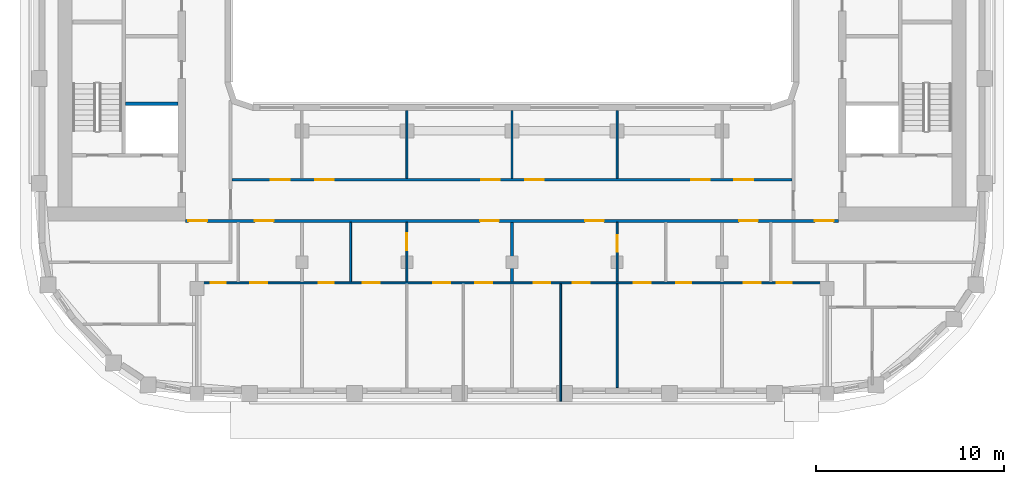
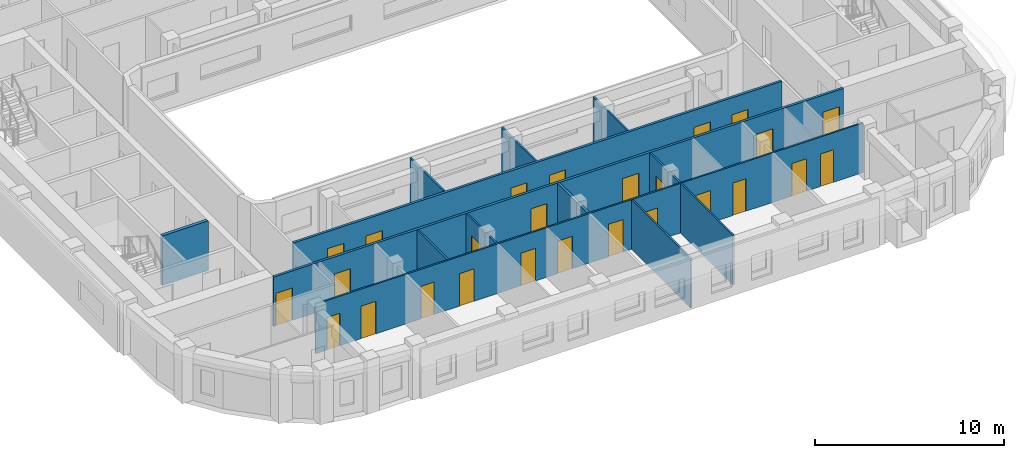
# One storey, part 3 of 21: 26 doors, 13 walls, 26 openings.
"""IFC4 building model written with IfcOpenShell, lengths in metres."""

from ifc_helpers import new_model, si_unit, direction, frame, frame_2d, origin, place, context, subcontext, project, spatial, rectangle, extrude, material, layer, layer_set, type_object, element, fill, save


model = new_model("IFC4")

# Units and contexts
model_context = context("Model", 3, precision=1e-05, world=origin(), true_north=direction((0.0, 1.0)))
body_context = subcontext(model_context, "Body", "Model", "MODEL_VIEW")
ifc_project = project(units=[si_unit("LENGTHUNIT", "METRE"), si_unit("AREAUNIT", "SQUARE_METRE"), si_unit("VOLUMEUNIT", "CUBIC_METRE"), si_unit("PLANEANGLEUNIT", "RADIAN"), si_unit("MASSUNIT", "GRAM", prefix="KILO")], contexts=[model_context])

# Site, building, storey
site_placement = place(None, origin())
site = spatial("IfcSite", under=ifc_project, at=site_placement, CompositionType="ELEMENT")
building_placement = place(site_placement, origin())
building = spatial("IfcBuilding", under=site, at=building_placement, Name="Kiln Ring Residences", CompositionType="ELEMENT")
storey_placement = place(building_placement, frame((0.0, 0.0, 216.89990234375)))
storey = spatial("IfcBuildingStorey", under=building, at=storey_placement, Name="L56", CompositionType="ELEMENT", Elevation=216.89990234375)

# Wall
ifc_material_1 = material(Name="Gypsum shaft wall system")
ifc_layer_1 = layer(ifc_material_1, 0.199951171875)
ifc_layer_set_1 = layer_set([ifc_layer_1], Name="CORE-SHAFT-WALL-200")
wall_type_1 = type_object("IfcWallType", Name="CORE-SHAFT-WALL-200", PredefinedType="PARTITIONING", material=ifc_layer_set_1)
wall_1_placement = place(storey_placement, frame((-17.800048828125, -6.949951171875, 0.0), z_axis=(0.0, 0.0, 1.0), x_axis=(-1.0, 0.0, 0.0)))
element("IfcWall", 1, at=wall_1_placement, inside=storey, type_object=wall_type_1, Name="Core partition west L56 3", PredefinedType="PARTITIONING", context=body_context, shape_type="SweptSolid", body=[
    extrude(rectangle(XDim=2.800048828125, YDim=0.199951171875, at=frame_2d((1.39990234375, 0.0))), origin(), (0.0, 0.0, 1.0), 3.2001953125),
])

# Wall, openings, doors
ifc_material_2 = material(Name="Gypsum board on steel studs", Category="steel")
ifc_layer_2 = layer(ifc_material_2, 0.10009765625)
ifc_layer_set_2 = layer_set([ifc_layer_2], Name="PARTITION-100")
wall_type_2 = type_object("IfcWallType", Name="PARTITION-100", PredefinedType="PARTITIONING", material=ifc_layer_set_2)
wall_2_placement = place(storey_placement, frame((-16.72509765625, -16.5, 0.0), z_axis=(0.0, 0.0, 1.0), x_axis=(1.0, 0.0, 0.0)))
wall_2 = element("IfcWall", 2, at=wall_2_placement, inside=storey, type_object=wall_type_2, Name="Partition 002", PredefinedType="PARTITIONING", context=body_context, shape_type="SweptSolid", body=[
    extrude(rectangle(XDim=33.4501953125, YDim=0.10009765625, at=frame_2d((16.72509765625, 0.0))), origin(), (0.0, 0.0, 1.0), 3.2001953125),
])
opening_1_placement = place(wall_2_placement, frame((0.675048828125, 0.0, 0.0)))
opening_1 = element("IfcOpeningElement", 3, at=opening_1_placement, cuts=wall_2, Name="Opening L56-D044", PredefinedType="OPENING", context=body_context, shape_type="SweptSolid", body=[
    extrude(rectangle(XDim=0.800048828125, YDim=2.10009765625, at=frame_2d((0.39990234375, 1.050048828125))), frame((0.0, 0.06005859375, 0.0), z_axis=(0.0, -1.0, 0.0), x_axis=(1.0, 0.0, 0.0)), (0.0, 0.0, 1.0), 0.1201171875),
])
opening_2_placement = place(wall_2_placement, frame((2.77490234375, 0.0, 0.0)))
opening_2 = element("IfcOpeningElement", 4, at=opening_2_placement, cuts=wall_2, Name="Opening L56-D045", PredefinedType="OPENING", context=body_context, shape_type="SweptSolid", body=[
    extrude(rectangle(XDim=0.89990234375, YDim=2.10009765625, at=frame_2d((0.449951171875, 1.050048828125))), frame((0.0, 0.06005859375, 0.0), z_axis=(0.0, -1.0, 0.0), x_axis=(1.0, 0.0, 0.0)), (0.0, 0.0, 1.0), 0.1201171875),
])
opening_3_placement = place(wall_2_placement, frame((6.425048828125, 0.0, 0.0)))
opening_3 = element("IfcOpeningElement", 5, at=opening_3_placement, cuts=wall_2, Name="Opening L56-D048", PredefinedType="OPENING", context=body_context, shape_type="SweptSolid", body=[
    extrude(rectangle(XDim=0.800048828125, YDim=2.10009765625, at=frame_2d((0.39990234375, 1.050048828125))), frame((0.0, 0.06005859375, 0.0), z_axis=(0.0, -1.0, 0.0), x_axis=(1.0, 0.0, 0.0)), (0.0, 0.0, 1.0), 0.1201171875),
])
opening_4_placement = place(wall_2_placement, frame((8.77490234375, 0.0, 0.0)))
opening_4 = element("IfcOpeningElement", 6, at=opening_4_placement, cuts=wall_2, Name="Opening L56-D049", PredefinedType="OPENING", context=body_context, shape_type="SweptSolid", body=[
    extrude(rectangle(XDim=0.89990234375, YDim=2.10009765625, at=frame_2d((0.449951171875, 1.050048828125))), frame((0.0, 0.06005859375, 0.0), z_axis=(0.0, -1.0, 0.0), x_axis=(1.0, 0.0, 0.0)), (0.0, 0.0, 1.0), 0.1201171875),
])
opening_5_placement = place(wall_2_placement, frame((12.52490234375, 0.0, 0.0)))
opening_5 = element("IfcOpeningElement", 7, at=opening_5_placement, cuts=wall_2, Name="Opening L56-D050", PredefinedType="OPENING", context=body_context, shape_type="SweptSolid", body=[
    extrude(rectangle(XDim=0.89990234375, YDim=2.10009765625, at=frame_2d((0.449951171875, 1.050048828125))), frame((0.0, 0.06005859375, 0.0), z_axis=(0.0, -1.0, 0.0), x_axis=(1.0, 0.0, 0.0)), (0.0, 0.0, 1.0), 0.1201171875),
])
opening_6_placement = place(wall_2_placement, frame((14.77490234375, 0.0, 0.0)))
opening_6 = element("IfcOpeningElement", 8, at=opening_6_placement, cuts=wall_2, Name="Opening L56-D051", PredefinedType="OPENING", context=body_context, shape_type="SweptSolid", body=[
    extrude(rectangle(XDim=0.89990234375, YDim=2.10009765625, at=frame_2d((0.449951171875, 1.050048828125))), frame((0.0, 0.06005859375, 0.0), z_axis=(0.0, -1.0, 0.0), x_axis=(1.0, 0.0, 0.0)), (0.0, 0.0, 1.0), 0.1201171875),
])
opening_7_placement = place(wall_2_placement, frame((25.47509765625, 0.0, 0.0)))
opening_7 = element("IfcOpeningElement", 9, at=opening_7_placement, cuts=wall_2, Name="Opening L56-D054", PredefinedType="OPENING", context=body_context, shape_type="SweptSolid", body=[
    extrude(rectangle(XDim=0.800048828125, YDim=2.10009765625, at=frame_2d((0.39990234375, 1.050048828125))), frame((0.0, 0.06005859375, 0.0), z_axis=(0.0, -1.0, 0.0), x_axis=(1.0, 0.0, 0.0)), (0.0, 0.0, 1.0), 0.1201171875),
])
opening_8_placement = place(wall_2_placement, frame((23.22509765625, 0.0, 0.0)))
opening_8 = element("IfcOpeningElement", 10, at=opening_8_placement, cuts=wall_2, Name="Opening L56-D055", PredefinedType="OPENING", context=body_context, shape_type="SweptSolid", body=[
    extrude(rectangle(XDim=0.89990234375, YDim=2.10009765625, at=frame_2d((0.449951171875, 1.050048828125))), frame((0.0, 0.06005859375, 0.0), z_axis=(0.0, -1.0, 0.0), x_axis=(1.0, 0.0, 0.0)), (0.0, 0.0, 1.0), 0.1201171875),
])
opening_9_placement = place(wall_2_placement, frame((17.875, 0.0, 0.0)))
opening_9 = element("IfcOpeningElement", 11, at=opening_9_placement, cuts=wall_2, Name="Opening L56-D056", PredefinedType="OPENING", context=body_context, shape_type="SweptSolid", body=[
    extrude(rectangle(XDim=0.89990234375, YDim=2.10009765625, at=frame_2d((0.449951171875, 1.050048828125))), frame((0.0, 0.06005859375, 0.0), z_axis=(0.0, -1.0, 0.0), x_axis=(1.0, 0.0, 0.0)), (0.0, 0.0, 1.0), 0.1201171875),
])
opening_10_placement = place(wall_2_placement, frame((19.97509765625, 0.0, 0.0)))
opening_10 = element("IfcOpeningElement", 12, at=opening_10_placement, cuts=wall_2, Name="Opening L56-D057", PredefinedType="OPENING", context=body_context, shape_type="SweptSolid", body=[
    extrude(rectangle(XDim=0.89990234375, YDim=2.10009765625, at=frame_2d((0.449951171875, 1.050048828125))), frame((0.0, 0.06005859375, 0.0), z_axis=(0.0, -1.0, 0.0), x_axis=(1.0, 0.0, 0.0)), (0.0, 0.0, 1.0), 0.1201171875),
])
opening_11_placement = place(wall_2_placement, frame((30.824951171875, 0.0, 0.0)))
opening_11 = element("IfcOpeningElement", 13, at=opening_11_placement, cuts=wall_2, Name="Opening L56-D059", PredefinedType="OPENING", context=body_context, shape_type="SweptSolid", body=[
    extrude(rectangle(XDim=0.800048828125, YDim=2.10009765625, at=frame_2d((0.39990234375, 1.050048828125))), frame((0.0, 0.06005859375, 0.0), z_axis=(0.0, -1.0, 0.0), x_axis=(1.0, 0.0, 0.0)), (0.0, 0.0, 1.0), 0.1201171875),
])
opening_12_placement = place(wall_2_placement, frame((29.074951171875, 0.0, 0.0)))
opening_12 = element("IfcOpeningElement", 14, at=opening_12_placement, cuts=wall_2, Name="Opening L56-D060", PredefinedType="OPENING", context=body_context, shape_type="SweptSolid", body=[
    extrude(rectangle(XDim=0.89990234375, YDim=2.10009765625, at=frame_2d((0.449951171875, 1.050048828125))), frame((0.0, 0.06005859375, 0.0), z_axis=(0.0, -1.0, 0.0), x_axis=(1.0, 0.0, 0.0)), (0.0, 0.0, 1.0), 0.1201171875),
])
ifc_material_3 = material(Name="Timber door leaf", Category="wood")
door_type_1 = type_object("IfcDoorType", Name="FLAT-DOOR-800-PL", OperationType="SINGLE_SWING_LEFT", PredefinedType="DOOR", material=ifc_material_3)
door_1_placement = place(opening_1_placement, origin())
door_1 = element("IfcDoor", 15, at=door_1_placement, inside=storey, type_object=door_type_1, Name="Door L56-D044", OperationType="SINGLE_SWING_RIGHT", OverallHeight=2.10009765625, OverallWidth=0.800048828125, PredefinedType="DOOR", context=body_context, shape_type="SweptSolid", body=[
    extrude(rectangle(XDim=0.800048828125, YDim=2.10009765625, at=frame_2d((0.39990234375, 1.050048828125))), frame((0.0, 0.02490234375, 0.0), z_axis=(0.0, -1.0, 0.0), x_axis=(1.0, 0.0, 0.0)), (0.0, 0.0, 1.0), 0.050048828125),
])
fill(opening_1, door_1)
door_2_placement = place(opening_3_placement, origin())
door_2 = element("IfcDoor", 16, at=door_2_placement, inside=storey, type_object=door_type_1, Name="Door L56-D048", OperationType="SINGLE_SWING_RIGHT", OverallHeight=2.10009765625, OverallWidth=0.800048828125, PredefinedType="DOOR", context=body_context, shape_type="SweptSolid", body=[
    extrude(rectangle(XDim=0.800048828125, YDim=2.10009765625, at=frame_2d((0.39990234375, 1.050048828125))), frame((0.0, 0.02490234375, 0.0), z_axis=(0.0, -1.0, 0.0), x_axis=(1.0, 0.0, 0.0)), (0.0, 0.0, 1.0), 0.050048828125),
])
fill(opening_3, door_2)
door_3_placement = place(opening_7_placement, origin())
door_3 = element("IfcDoor", 17, at=door_3_placement, inside=storey, type_object=door_type_1, Name="Door L56-D054", OperationType="SINGLE_SWING_RIGHT", OverallHeight=2.10009765625, OverallWidth=0.800048828125, PredefinedType="DOOR", context=body_context, shape_type="SweptSolid", body=[
    extrude(rectangle(XDim=0.800048828125, YDim=2.10009765625, at=frame_2d((0.39990234375, 1.050048828125))), frame((0.0, 0.02490234375, 0.0), z_axis=(0.0, -1.0, 0.0), x_axis=(1.0, 0.0, 0.0)), (0.0, 0.0, 1.0), 0.050048828125),
])
fill(opening_7, door_3)
door_4_placement = place(opening_11_placement, origin())
door_4 = element("IfcDoor", 18, at=door_4_placement, inside=storey, type_object=door_type_1, Name="Door L56-D059", OperationType="SINGLE_SWING_RIGHT", OverallHeight=2.10009765625, OverallWidth=0.800048828125, PredefinedType="DOOR", context=body_context, shape_type="SweptSolid", body=[
    extrude(rectangle(XDim=0.800048828125, YDim=2.10009765625, at=frame_2d((0.39990234375, 1.050048828125))), frame((0.0, 0.02490234375, 0.0), z_axis=(0.0, -1.0, 0.0), x_axis=(1.0, 0.0, 0.0)), (0.0, 0.0, 1.0), 0.050048828125),
])
fill(opening_11, door_4)
ifc_material_4 = material(Name="Timber door leaf", Category="wood")
door_type_2 = type_object("IfcDoorType", Name="FLAT-DOOR-900-PL", OperationType="SINGLE_SWING_LEFT", PredefinedType="DOOR", material=ifc_material_4)
door_5_placement = place(opening_2_placement, origin())
door_5 = element("IfcDoor", 19, at=door_5_placement, inside=storey, type_object=door_type_2, Name="Door L56-D045", OperationType="SINGLE_SWING_LEFT", OverallHeight=2.10009765625, OverallWidth=0.89990234375, PredefinedType="DOOR", context=body_context, shape_type="SweptSolid", body=[
    extrude(rectangle(XDim=0.89990234375, YDim=2.10009765625, at=frame_2d((0.449951171875, 1.050048828125))), frame((0.0, 0.02490234375, 0.0), z_axis=(0.0, -1.0, 0.0), x_axis=(1.0, 0.0, 0.0)), (0.0, 0.0, 1.0), 0.050048828125),
])
fill(opening_2, door_5)
door_6_placement = place(opening_4_placement, origin())
door_6 = element("IfcDoor", 20, at=door_6_placement, inside=storey, type_object=door_type_2, Name="Door L56-D049", OperationType="SINGLE_SWING_LEFT", OverallHeight=2.10009765625, OverallWidth=0.89990234375, PredefinedType="DOOR", context=body_context, shape_type="SweptSolid", body=[
    extrude(rectangle(XDim=0.89990234375, YDim=2.10009765625, at=frame_2d((0.449951171875, 1.050048828125))), frame((0.0, 0.02490234375, 0.0), z_axis=(0.0, -1.0, 0.0), x_axis=(1.0, 0.0, 0.0)), (0.0, 0.0, 1.0), 0.050048828125),
])
fill(opening_4, door_6)
door_7_placement = place(opening_5_placement, origin())
door_7 = element("IfcDoor", 21, at=door_7_placement, inside=storey, type_object=door_type_2, Name="Door L56-D050", OperationType="SINGLE_SWING_RIGHT", OverallHeight=2.10009765625, OverallWidth=0.89990234375, PredefinedType="DOOR", context=body_context, shape_type="SweptSolid", body=[
    extrude(rectangle(XDim=0.89990234375, YDim=2.10009765625, at=frame_2d((0.449951171875, 1.050048828125))), frame((0.0, 0.02490234375, 0.0), z_axis=(0.0, -1.0, 0.0), x_axis=(1.0, 0.0, 0.0)), (0.0, 0.0, 1.0), 0.050048828125),
])
fill(opening_5, door_7)
door_8_placement = place(opening_6_placement, origin())
door_8 = element("IfcDoor", 22, at=door_8_placement, inside=storey, type_object=door_type_2, Name="Door L56-D051", OperationType="SINGLE_SWING_LEFT", OverallHeight=2.10009765625, OverallWidth=0.89990234375, PredefinedType="DOOR", context=body_context, shape_type="SweptSolid", body=[
    extrude(rectangle(XDim=0.89990234375, YDim=2.10009765625, at=frame_2d((0.449951171875, 1.050048828125))), frame((0.0, 0.02490234375, 0.0), z_axis=(0.0, -1.0, 0.0), x_axis=(1.0, 0.0, 0.0)), (0.0, 0.0, 1.0), 0.050048828125),
])
fill(opening_6, door_8)
door_9_placement = place(opening_8_placement, origin())
door_9 = element("IfcDoor", 23, at=door_9_placement, inside=storey, type_object=door_type_2, Name="Door L56-D055", OperationType="SINGLE_SWING_LEFT", OverallHeight=2.10009765625, OverallWidth=0.89990234375, PredefinedType="DOOR", context=body_context, shape_type="SweptSolid", body=[
    extrude(rectangle(XDim=0.89990234375, YDim=2.10009765625, at=frame_2d((0.449951171875, 1.050048828125))), frame((0.0, 0.02490234375, 0.0), z_axis=(0.0, -1.0, 0.0), x_axis=(1.0, 0.0, 0.0)), (0.0, 0.0, 1.0), 0.050048828125),
])
fill(opening_8, door_9)
door_10_placement = place(opening_9_placement, origin())
door_10 = element("IfcDoor", 24, at=door_10_placement, inside=storey, type_object=door_type_2, Name="Door L56-D056", OperationType="SINGLE_SWING_RIGHT", OverallHeight=2.10009765625, OverallWidth=0.89990234375, PredefinedType="DOOR", context=body_context, shape_type="SweptSolid", body=[
    extrude(rectangle(XDim=0.89990234375, YDim=2.10009765625, at=frame_2d((0.449951171875, 1.050048828125))), frame((0.0, 0.02490234375, 0.0), z_axis=(0.0, -1.0, 0.0), x_axis=(1.0, 0.0, 0.0)), (0.0, 0.0, 1.0), 0.050048828125),
])
fill(opening_9, door_10)
door_11_placement = place(opening_10_placement, origin())
door_11 = element("IfcDoor", 25, at=door_11_placement, inside=storey, type_object=door_type_2, Name="Door L56-D057", OperationType="SINGLE_SWING_LEFT", OverallHeight=2.10009765625, OverallWidth=0.89990234375, PredefinedType="DOOR", context=body_context, shape_type="SweptSolid", body=[
    extrude(rectangle(XDim=0.89990234375, YDim=2.10009765625, at=frame_2d((0.449951171875, 1.050048828125))), frame((0.0, 0.02490234375, 0.0), z_axis=(0.0, -1.0, 0.0), x_axis=(1.0, 0.0, 0.0)), (0.0, 0.0, 1.0), 0.050048828125),
])
fill(opening_10, door_11)
door_12_placement = place(opening_12_placement, origin())
door_12 = element("IfcDoor", 26, at=door_12_placement, inside=storey, type_object=door_type_2, Name="Door L56-D060", OperationType="SINGLE_SWING_RIGHT", OverallHeight=2.10009765625, OverallWidth=0.89990234375, PredefinedType="DOOR", context=body_context, shape_type="SweptSolid", body=[
    extrude(rectangle(XDim=0.89990234375, YDim=2.10009765625, at=frame_2d((0.449951171875, 1.050048828125))), frame((0.0, 0.02490234375, 0.0), z_axis=(0.0, -1.0, 0.0), x_axis=(1.0, 0.0, 0.0)), (0.0, 0.0, 1.0), 0.050048828125),
])
fill(opening_12, door_12)

# Wall
wall_3_placement = place(storey_placement, frame((-8.60009765625, -16.449951171875, 0.0), z_axis=(0.0, 0.0, 1.0), x_axis=(0.0, 1.0, 0.0)))
element("IfcWall", 27, at=wall_3_placement, inside=storey, type_object=wall_type_2, Name="Partition 029", PredefinedType="PARTITIONING", context=body_context, shape_type="SweptSolid", body=[
    extrude(rectangle(XDim=3.175048828125, YDim=0.10009765625, at=frame_2d((1.58740234375, 0.0))), origin(), (0.0, 0.0, 1.0), 3.2001953125),
])

# Wall, opening, door
wall_4_placement = place(storey_placement, frame((-5.60009765625, -16.449951171875, 0.0), z_axis=(0.0, 0.0, 1.0), x_axis=(0.0, 1.0, 0.0)))
wall_4 = element("IfcWall", 28, at=wall_4_placement, inside=storey, type_object=wall_type_2, Name="Partition 031", PredefinedType="PARTITIONING", context=body_context, shape_type="SweptSolid", body=[
    extrude(rectangle(XDim=3.175048828125, YDim=0.10009765625, at=frame_2d((1.58740234375, 0.0))), origin(), (0.0, 0.0, 1.0), 3.2001953125),
])
opening_13_placement = place(wall_4_placement, frame((1.698974609375, 0.0, 0.0)))
opening_13 = element("IfcOpeningElement", 29, at=opening_13_placement, cuts=wall_4, Name="Opening L56-D047", PredefinedType="OPENING", context=body_context, shape_type="SweptSolid", body=[
    extrude(rectangle(XDim=0.89990234375, YDim=2.10009765625, at=frame_2d((0.449951171875, 1.050048828125))), frame((0.0, 0.06005859375, 0.0), z_axis=(0.0, -1.0, 0.0), x_axis=(1.0, 0.0, 0.0)), (0.0, 0.0, 1.0), 0.1201171875),
])
door_13_placement = place(opening_13_placement, origin())
door_13 = element("IfcDoor", 30, at=door_13_placement, inside=storey, type_object=door_type_2, Name="Door L56-D047", OperationType="SINGLE_SWING_LEFT", OverallHeight=2.10009765625, OverallWidth=0.89990234375, PredefinedType="DOOR", context=body_context, shape_type="SweptSolid", body=[
    extrude(rectangle(XDim=0.89990234375, YDim=2.10009765625, at=frame_2d((0.449951171875, 1.050048828125))), frame((0.0, 0.02490234375, 0.0), z_axis=(0.0, -1.0, 0.0), x_axis=(1.0, 0.0, 0.0)), (0.0, 0.0, 1.0), 0.050048828125),
])
fill(opening_13, door_13)

# Walls
for number, where, z_axis, x_axis, name in (
    (31, (-5.60009765625, -10.925048828125, 0.0), (0.0, 0.0, 1.0), (0.0, 1.0, 0.0), "Partition 032"),
    (32, (0.0, -10.925048828125, 0.0), (0.0, 0.0, 1.0), (0.0, 1.0, 0.0), "Partition 037"),
):
    element("IfcWall", number, at=place(storey_placement, frame(where, z_axis=z_axis, x_axis=x_axis)), inside=storey, type_object=wall_type_2, Name=name, PredefinedType="PARTITIONING", context=body_context, shape_type="SweptSolid", body=[
        extrude(rectangle(XDim=3.60498046875, YDim=0.10009765625, at=frame_2d((1.802490234375, 0.0))), origin(), (0.0, 0.0, 1.0), 3.2001953125),
    ])
wall_5_placement = place(storey_placement, frame((2.60009765625, -22.804931640625, 0.0), z_axis=(0.0, 0.0, 1.0), x_axis=(0.0, 1.0, 0.0)))
element("IfcWall", 33, at=wall_5_placement, inside=storey, type_object=wall_type_2, Name="Partition 044", PredefinedType="PARTITIONING", context=body_context, shape_type="SweptSolid", body=[
    extrude(rectangle(XDim=6.2548828125, YDim=0.10009765625, at=frame_2d((3.12744140625, 0.0))), origin(), (0.0, 0.0, 1.0), 3.2001953125),
])
wall_6_placement = place(storey_placement, frame((5.60009765625, -22.080078125, 0.0), z_axis=(0.0, 0.0, 1.0), x_axis=(0.0, 1.0, 0.0)))
element("IfcWall", 34, at=wall_6_placement, inside=storey, type_object=wall_type_2, Name="Partition 045", PredefinedType="PARTITIONING", context=body_context, shape_type="SweptSolid", body=[
    extrude(rectangle(XDim=5.530029296875, YDim=0.10009765625, at=frame_2d((2.76513671875, 0.0))), origin(), (0.0, 0.0, 1.0), 3.2001953125),
])

# Wall, opening, door
wall_7_placement = place(storey_placement, frame((5.60009765625, -16.449951171875, 0.0), z_axis=(0.0, 0.0, 1.0), x_axis=(0.0, 1.0, 0.0)))
wall_7 = element("IfcWall", 35, at=wall_7_placement, inside=storey, type_object=wall_type_2, Name="Partition 046", PredefinedType="PARTITIONING", context=body_context, shape_type="SweptSolid", body=[
    extrude(rectangle(XDim=3.175048828125, YDim=0.10009765625, at=frame_2d((1.58740234375, 0.0))), origin(), (0.0, 0.0, 1.0), 3.2001953125),
])
opening_14_placement = place(wall_7_placement, frame((1.60009765625, 0.0, 0.0)))
opening_14 = element("IfcOpeningElement", 36, at=opening_14_placement, cuts=wall_7, Name="Opening L56-D053", PredefinedType="OPENING", context=body_context, shape_type="SweptSolid", body=[
    extrude(rectangle(XDim=0.89990234375, YDim=2.10009765625, at=frame_2d((0.449951171875, 1.050048828125))), frame((0.0, 0.06005859375, 0.0), z_axis=(0.0, -1.0, 0.0), x_axis=(1.0, 0.0, 0.0)), (0.0, 0.0, 1.0), 0.1201171875),
])
door_14_placement = place(opening_14_placement, origin())
door_14 = element("IfcDoor", 37, at=door_14_placement, inside=storey, type_object=door_type_2, Name="Door L56-D053", OperationType="SINGLE_SWING_RIGHT", OverallHeight=2.10009765625, OverallWidth=0.89990234375, PredefinedType="DOOR", context=body_context, shape_type="SweptSolid", body=[
    extrude(rectangle(XDim=0.89990234375, YDim=2.10009765625, at=frame_2d((0.449951171875, 1.050048828125))), frame((0.0, 0.02490234375, 0.0), z_axis=(0.0, -1.0, 0.0), x_axis=(1.0, 0.0, 0.0)), (0.0, 0.0, 1.0), 0.050048828125),
])
fill(opening_14, door_14)

# Wall
wall_8_placement = place(storey_placement, frame((5.60009765625, -10.925048828125, 0.0), z_axis=(0.0, 0.0, 1.0), x_axis=(0.0, 1.0, 0.0)))
element("IfcWall", 38, at=wall_8_placement, inside=storey, type_object=wall_type_2, Name="Partition 047", PredefinedType="PARTITIONING", context=body_context, shape_type="SweptSolid", body=[
    extrude(rectangle(XDim=3.60498046875, YDim=0.10009765625, at=frame_2d((1.802490234375, 0.0))), origin(), (0.0, 0.0, 1.0), 3.2001953125),
])

# Wall, openings, doors
ifc_material_5 = material(Name="Brick masonry partition", Category="masonry")
ifc_layer_3 = layer(ifc_material_5, 0.14990234375)
ifc_layer_set_3 = layer_set([ifc_layer_3], Name="PARTITION-150-ei60")
wall_type_3 = type_object("IfcWallType", Name="PARTITION-150-ei60", PredefinedType="PARTITIONING", material=ifc_layer_set_3)
wall_9_placement = place(storey_placement, frame((-17.39990234375, -13.199951171875, 0.0), z_axis=(0.0, 0.0, 1.0), x_axis=(1.0, 0.0, 0.0)))
wall_9 = element("IfcWall", 39, at=wall_9_placement, inside=storey, type_object=wall_type_3, Name="Partition 005", PredefinedType="PARTITIONING", context=body_context, shape_type="SweptSolid", body=[
    extrude(rectangle(XDim=34.7998046875, YDim=0.14990234375, at=frame_2d((17.39990234375, 0.0))), origin(), (0.0, 0.0, 1.0), 3.2001953125),
])
opening_15_placement = place(wall_9_placement, frame((0.14990234375, 0.0, 0.0)))
opening_15 = element("IfcOpeningElement", 40, at=opening_15_placement, cuts=wall_9, Name="Opening L56-D007", PredefinedType="OPENING", context=body_context, shape_type="SweptSolid", body=[
    extrude(rectangle(XDim=1.0, YDim=2.10009765625, at=frame_2d((0.5, 1.050048828125))), frame((0.0, 0.0849609375, 0.0), z_axis=(0.0, -1.0, 0.0), x_axis=(1.0, 0.0, 0.0)), (0.0, 0.0, 1.0), 0.169921875),
])
opening_16_placement = place(wall_9_placement, frame((33.550048828125, 0.0, 0.0)))
opening_16 = element("IfcOpeningElement", 41, at=opening_16_placement, cuts=wall_9, Name="Opening L56-D008", PredefinedType="OPENING", context=body_context, shape_type="SweptSolid", body=[
    extrude(rectangle(XDim=1.0, YDim=2.10009765625, at=frame_2d((0.5, 1.050048828125))), frame((0.0, 0.0849609375, 0.0), z_axis=(0.0, -1.0, 0.0), x_axis=(1.0, 0.0, 0.0)), (0.0, 0.0, 1.0), 0.169921875),
])
opening_17_placement = place(wall_9_placement, frame((3.699951171875, 0.0, 0.0)))
opening_17 = element("IfcOpeningElement", 42, at=opening_17_placement, cuts=wall_9, Name="Opening L56-D043", PredefinedType="OPENING", context=body_context, shape_type="SweptSolid", body=[
    extrude(rectangle(XDim=1.0, YDim=2.10009765625, at=frame_2d((0.5, 1.050048828125))), frame((0.0, 0.0849609375, 0.0), z_axis=(0.0, -1.0, 0.0), x_axis=(1.0, 0.0, 0.0)), (0.0, 0.0, 1.0), 0.169921875),
])
opening_18_placement = place(wall_9_placement, frame((15.699951171875, 0.0, 0.0)))
opening_18 = element("IfcOpeningElement", 43, at=opening_18_placement, cuts=wall_9, Name="Opening L56-D046", PredefinedType="OPENING", context=body_context, shape_type="SweptSolid", body=[
    extrude(rectangle(XDim=1.0, YDim=2.10009765625, at=frame_2d((0.5, 1.050048828125))), frame((0.0, 0.0849609375, 0.0), z_axis=(0.0, -1.0, 0.0), x_axis=(1.0, 0.0, 0.0)), (0.0, 0.0, 1.0), 0.169921875),
])
opening_19_placement = place(wall_9_placement, frame((21.300048828125, 0.0, 0.0)))
opening_19 = element("IfcOpeningElement", 44, at=opening_19_placement, cuts=wall_9, Name="Opening L56-D052", PredefinedType="OPENING", context=body_context, shape_type="SweptSolid", body=[
    extrude(rectangle(XDim=1.0, YDim=2.10009765625, at=frame_2d((0.5, 1.050048828125))), frame((0.0, 0.0849609375, 0.0), z_axis=(0.0, -1.0, 0.0), x_axis=(1.0, 0.0, 0.0)), (0.0, 0.0, 1.0), 0.169921875),
])
opening_20_placement = place(wall_9_placement, frame((29.5, 0.0, 0.0)))
opening_20 = element("IfcOpeningElement", 45, at=opening_20_placement, cuts=wall_9, Name="Opening L56-D058", PredefinedType="OPENING", context=body_context, shape_type="SweptSolid", body=[
    extrude(rectangle(XDim=1.0, YDim=2.10009765625, at=frame_2d((0.5, 1.050048828125))), frame((0.0, 0.0849609375, 0.0), z_axis=(0.0, -1.0, 0.0), x_axis=(1.0, 0.0, 0.0)), (0.0, 0.0, 1.0), 0.169921875),
])
ifc_material_6 = material(Name="Steel faced fire door leaf", Category="steel")
door_type_3 = type_object("IfcDoorType", Name="FLAT-DOOR-1000-FR", OperationType="SINGLE_SWING_LEFT", PredefinedType="DOOR", material=ifc_material_6)
door_15_placement = place(opening_15_placement, origin())
door_15 = element("IfcDoor", 46, at=door_15_placement, inside=storey, type_object=door_type_3, Name="Door L56-D007", OperationType="SINGLE_SWING_RIGHT", OverallHeight=2.10009765625, OverallWidth=1.0, PredefinedType="DOOR", context=body_context, shape_type="SweptSolid", body=[
    extrude(rectangle(XDim=1.0, YDim=2.10009765625, at=frame_2d((0.5, 1.050048828125))), frame((0.0, 0.02490234375, 0.0), z_axis=(0.0, -1.0, 0.0), x_axis=(1.0, 0.0, 0.0)), (0.0, 0.0, 1.0), 0.050048828125),
])
fill(opening_15, door_15)
door_16_placement = place(opening_16_placement, origin())
door_16 = element("IfcDoor", 47, at=door_16_placement, inside=storey, type_object=door_type_3, Name="Door L56-D008", OperationType="SINGLE_SWING_LEFT", OverallHeight=2.10009765625, OverallWidth=1.0, PredefinedType="DOOR", context=body_context, shape_type="SweptSolid", body=[
    extrude(rectangle(XDim=1.0, YDim=2.10009765625, at=frame_2d((0.5, 1.050048828125))), frame((0.0, 0.02490234375, 0.0), z_axis=(0.0, -1.0, 0.0), x_axis=(1.0, 0.0, 0.0)), (0.0, 0.0, 1.0), 0.050048828125),
])
fill(opening_16, door_16)
door_17_placement = place(opening_17_placement, origin())
door_17 = element("IfcDoor", 48, at=door_17_placement, inside=storey, type_object=door_type_3, Name="Door L56-D043", OperationType="SINGLE_SWING_LEFT", OverallHeight=2.10009765625, OverallWidth=1.0, PredefinedType="DOOR", context=body_context, shape_type="SweptSolid", body=[
    extrude(rectangle(XDim=1.0, YDim=2.10009765625, at=frame_2d((0.5, 1.050048828125))), frame((0.0, 0.02490234375, 0.0), z_axis=(0.0, -1.0, 0.0), x_axis=(1.0, 0.0, 0.0)), (0.0, 0.0, 1.0), 0.050048828125),
])
fill(opening_17, door_17)
door_18_placement = place(opening_18_placement, origin())
door_18 = element("IfcDoor", 49, at=door_18_placement, inside=storey, type_object=door_type_3, Name="Door L56-D046", OperationType="SINGLE_SWING_RIGHT", OverallHeight=2.10009765625, OverallWidth=1.0, PredefinedType="DOOR", context=body_context, shape_type="SweptSolid", body=[
    extrude(rectangle(XDim=1.0, YDim=2.10009765625, at=frame_2d((0.5, 1.050048828125))), frame((0.0, 0.02490234375, 0.0), z_axis=(0.0, -1.0, 0.0), x_axis=(1.0, 0.0, 0.0)), (0.0, 0.0, 1.0), 0.050048828125),
])
fill(opening_18, door_18)
door_19_placement = place(opening_19_placement, origin())
door_19 = element("IfcDoor", 50, at=door_19_placement, inside=storey, type_object=door_type_3, Name="Door L56-D052", OperationType="SINGLE_SWING_RIGHT", OverallHeight=2.10009765625, OverallWidth=1.0, PredefinedType="DOOR", context=body_context, shape_type="SweptSolid", body=[
    extrude(rectangle(XDim=1.0, YDim=2.10009765625, at=frame_2d((0.5, 1.050048828125))), frame((0.0, 0.02490234375, 0.0), z_axis=(0.0, -1.0, 0.0), x_axis=(1.0, 0.0, 0.0)), (0.0, 0.0, 1.0), 0.050048828125),
])
fill(opening_19, door_19)
door_20_placement = place(opening_20_placement, origin())
door_20 = element("IfcDoor", 51, at=door_20_placement, inside=storey, type_object=door_type_3, Name="Door L56-D058", OperationType="SINGLE_SWING_RIGHT", OverallHeight=2.10009765625, OverallWidth=1.0, PredefinedType="DOOR", context=body_context, shape_type="SweptSolid", body=[
    extrude(rectangle(XDim=1.0, YDim=2.10009765625, at=frame_2d((0.5, 1.050048828125))), frame((0.0, 0.02490234375, 0.0), z_axis=(0.0, -1.0, 0.0), x_axis=(1.0, 0.0, 0.0)), (0.0, 0.0, 1.0), 0.050048828125),
])
fill(opening_20, door_20)

wall_10_placement = place(storey_placement, frame((-14.925048828125, -11.0, 0.0), z_axis=(0.0, 0.0, 1.0), x_axis=(1.0, 0.0, 0.0)))
wall_10 = element("IfcWall", 52, at=wall_10_placement, inside=storey, type_object=wall_type_3, Name="Partition 006", PredefinedType="PARTITIONING", context=body_context, shape_type="SweptSolid", body=[
    extrude(rectangle(XDim=29.85009765625, YDim=0.14990234375, at=frame_2d((14.925048828125, 0.0))), origin(), (0.0, 0.0, 1.0), 3.2001953125),
])
opening_21_placement = place(wall_10_placement, frame((2.074951171875, 0.0, 0.0)))
opening_21 = element("IfcOpeningElement", 53, at=opening_21_placement, cuts=wall_10, Name="Opening L56-D037", PredefinedType="OPENING", context=body_context, shape_type="SweptSolid", body=[
    extrude(rectangle(XDim=1.0, YDim=2.10009765625, at=frame_2d((0.5, 1.050048828125))), frame((0.0, 0.0849609375, 0.0), z_axis=(0.0, -1.0, 0.0), x_axis=(1.0, 0.0, 0.0)), (0.0, 0.0, 1.0), 0.169921875),
])
opening_22_placement = place(wall_10_placement, frame((4.425048828125, 0.0, 0.0)))
opening_22 = element("IfcOpeningElement", 54, at=opening_22_placement, cuts=wall_10, Name="Opening L56-D038", PredefinedType="OPENING", context=body_context, shape_type="SweptSolid", body=[
    extrude(rectangle(XDim=1.0, YDim=2.10009765625, at=frame_2d((0.5, 1.050048828125))), frame((0.0, 0.0849609375, 0.0), z_axis=(0.0, -1.0, 0.0), x_axis=(1.0, 0.0, 0.0)), (0.0, 0.0, 1.0), 0.169921875),
])
opening_23_placement = place(wall_10_placement, frame((13.27490234375, 0.0, 0.0)))
opening_23 = element("IfcOpeningElement", 55, at=opening_23_placement, cuts=wall_10, Name="Opening L56-D039", PredefinedType="OPENING", context=body_context, shape_type="SweptSolid", body=[
    extrude(rectangle(XDim=1.0, YDim=2.10009765625, at=frame_2d((0.5, 1.050048828125))), frame((0.0, 0.0849609375, 0.0), z_axis=(0.0, -1.0, 0.0), x_axis=(1.0, 0.0, 0.0)), (0.0, 0.0, 1.0), 0.169921875),
])
opening_24_placement = place(wall_10_placement, frame((15.625, 0.0, 0.0)))
opening_24 = element("IfcOpeningElement", 56, at=opening_24_placement, cuts=wall_10, Name="Opening L56-D040", PredefinedType="OPENING", context=body_context, shape_type="SweptSolid", body=[
    extrude(rectangle(XDim=1.0, YDim=2.10009765625, at=frame_2d((0.5, 1.050048828125))), frame((0.0, 0.0849609375, 0.0), z_axis=(0.0, -1.0, 0.0), x_axis=(1.0, 0.0, 0.0)), (0.0, 0.0, 1.0), 0.169921875),
])
opening_25_placement = place(wall_10_placement, frame((24.47509765625, 0.0, 0.0)))
opening_25 = element("IfcOpeningElement", 57, at=opening_25_placement, cuts=wall_10, Name="Opening L56-D041", PredefinedType="OPENING", context=body_context, shape_type="SweptSolid", body=[
    extrude(rectangle(XDim=1.0, YDim=2.10009765625, at=frame_2d((0.5, 1.050048828125))), frame((0.0, 0.0849609375, 0.0), z_axis=(0.0, -1.0, 0.0), x_axis=(1.0, 0.0, 0.0)), (0.0, 0.0, 1.0), 0.169921875),
])
opening_26_placement = place(wall_10_placement, frame((26.77392578125, 0.0, 0.0)))
opening_26 = element("IfcOpeningElement", 58, at=opening_26_placement, cuts=wall_10, Name="Opening L56-D042", PredefinedType="OPENING", context=body_context, shape_type="SweptSolid", body=[
    extrude(rectangle(XDim=1.0, YDim=2.10009765625, at=frame_2d((0.5, 1.050048828125))), frame((0.0, 0.0849609375, 0.0), z_axis=(0.0, -1.0, 0.0), x_axis=(1.0, 0.0, 0.0)), (0.0, 0.0, 1.0), 0.169921875),
])
door_21_placement = place(opening_21_placement, origin())
door_21 = element("IfcDoor", 59, at=door_21_placement, inside=storey, type_object=door_type_3, Name="Door L56-D037", OperationType="SINGLE_SWING_LEFT", OverallHeight=2.10009765625, OverallWidth=1.0, PredefinedType="DOOR", context=body_context, shape_type="SweptSolid", body=[
    extrude(rectangle(XDim=1.0, YDim=2.10009765625, at=frame_2d((0.5, 1.050048828125))), frame((0.0, 0.02490234375, 0.0), z_axis=(0.0, -1.0, 0.0), x_axis=(1.0, 0.0, 0.0)), (0.0, 0.0, 1.0), 0.050048828125),
])
fill(opening_21, door_21)
door_22_placement = place(opening_22_placement, origin())
door_22 = element("IfcDoor", 60, at=door_22_placement, inside=storey, type_object=door_type_3, Name="Door L56-D038", OperationType="SINGLE_SWING_RIGHT", OverallHeight=2.10009765625, OverallWidth=1.0, PredefinedType="DOOR", context=body_context, shape_type="SweptSolid", body=[
    extrude(rectangle(XDim=1.0, YDim=2.10009765625, at=frame_2d((0.5, 1.050048828125))), frame((0.0, 0.02490234375, 0.0), z_axis=(0.0, -1.0, 0.0), x_axis=(1.0, 0.0, 0.0)), (0.0, 0.0, 1.0), 0.050048828125),
])
fill(opening_22, door_22)
door_23_placement = place(opening_23_placement, origin())
door_23 = element("IfcDoor", 61, at=door_23_placement, inside=storey, type_object=door_type_3, Name="Door L56-D039", OperationType="SINGLE_SWING_LEFT", OverallHeight=2.10009765625, OverallWidth=1.0, PredefinedType="DOOR", context=body_context, shape_type="SweptSolid", body=[
    extrude(rectangle(XDim=1.0, YDim=2.10009765625, at=frame_2d((0.5, 1.050048828125))), frame((0.0, 0.02490234375, 0.0), z_axis=(0.0, -1.0, 0.0), x_axis=(1.0, 0.0, 0.0)), (0.0, 0.0, 1.0), 0.050048828125),
])
fill(opening_23, door_23)
door_24_placement = place(opening_24_placement, origin())
door_24 = element("IfcDoor", 62, at=door_24_placement, inside=storey, type_object=door_type_3, Name="Door L56-D040", OperationType="SINGLE_SWING_RIGHT", OverallHeight=2.10009765625, OverallWidth=1.0, PredefinedType="DOOR", context=body_context, shape_type="SweptSolid", body=[
    extrude(rectangle(XDim=1.0, YDim=2.10009765625, at=frame_2d((0.5, 1.050048828125))), frame((0.0, 0.02490234375, 0.0), z_axis=(0.0, -1.0, 0.0), x_axis=(1.0, 0.0, 0.0)), (0.0, 0.0, 1.0), 0.050048828125),
])
fill(opening_24, door_24)
door_25_placement = place(opening_25_placement, origin())
door_25 = element("IfcDoor", 63, at=door_25_placement, inside=storey, type_object=door_type_3, Name="Door L56-D041", OperationType="SINGLE_SWING_LEFT", OverallHeight=2.10009765625, OverallWidth=1.0, PredefinedType="DOOR", context=body_context, shape_type="SweptSolid", body=[
    extrude(rectangle(XDim=1.0, YDim=2.10009765625, at=frame_2d((0.5, 1.050048828125))), frame((0.0, 0.02490234375, 0.0), z_axis=(0.0, -1.0, 0.0), x_axis=(1.0, 0.0, 0.0)), (0.0, 0.0, 1.0), 0.050048828125),
])
fill(opening_25, door_25)
door_26_placement = place(opening_26_placement, origin())
door_26 = element("IfcDoor", 64, at=door_26_placement, inside=storey, type_object=door_type_3, Name="Door L56-D042", OperationType="SINGLE_SWING_RIGHT", OverallHeight=2.10009765625, OverallWidth=1.0, PredefinedType="DOOR", context=body_context, shape_type="SweptSolid", body=[
    extrude(rectangle(XDim=1.0, YDim=2.10009765625, at=frame_2d((0.5, 1.050048828125))), frame((0.0, 0.02490234375, 0.0), z_axis=(0.0, -1.0, 0.0), x_axis=(1.0, 0.0, 0.0)), (0.0, 0.0, 1.0), 0.050048828125),
])
fill(opening_26, door_26)

# Wall
wall_11_placement = place(storey_placement, frame((0.0, -16.449951171875, 0.0), z_axis=(0.0, 0.0, 1.0), x_axis=(0.0, 1.0, 0.0)))
element("IfcWall", 65, at=wall_11_placement, inside=storey, type_object=wall_type_3, Name="Partition 040", PredefinedType="PARTITIONING", context=body_context, shape_type="SweptSolid", body=[
    extrude(rectangle(XDim=3.175048828125, YDim=0.14990234375, at=frame_2d((1.58740234375, 0.0))), origin(), (0.0, 0.0, 1.0), 3.2001953125),
])

save(model, "model.ifc")
